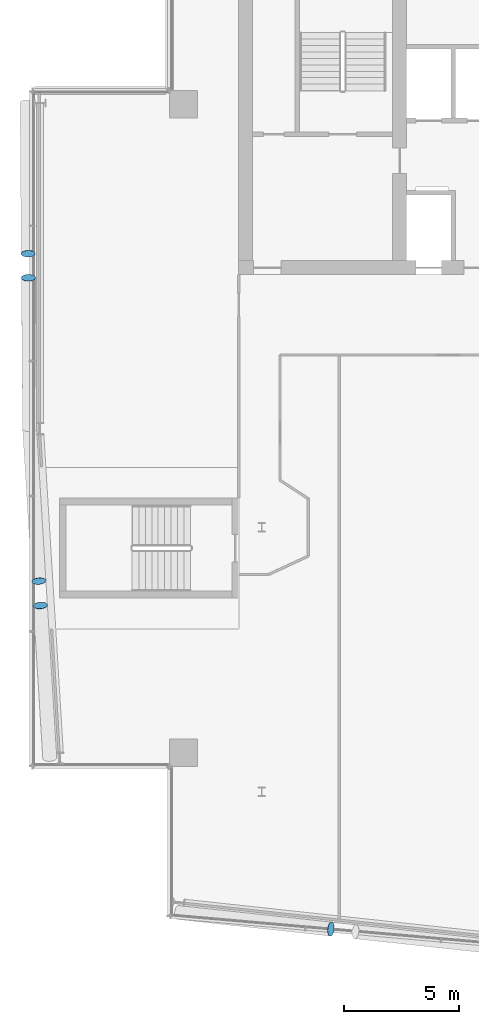
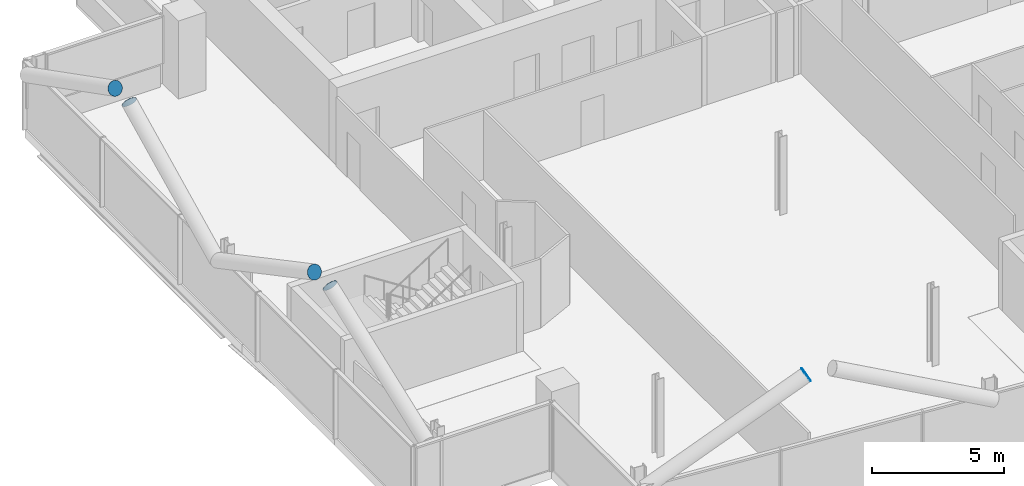
# One storey, part 20 of 25: 5 discrete accessories.
"""IFC4 building model written with IfcOpenShell, lengths in metres."""

import ifcopenshell
import ifcopenshell.guid

model = None  # the IFC model being written
_history = None  # IfcOwnerHistory: only IFC2X3 demands one
_inside = {}  # id of a spatial element -> (the spatial element, [elements in it])
_under = {}  # id of a project, library or spatial element -> (it, [spatial elements below it])
_declared = {}  # id of a project -> (the project, [libraries it declares])
_typed = {}  # id of a type object -> (the type object, [elements of that type])
_made_of = {}  # id of a material, layer set ... -> (it, [elements and type objects made of it])


def new_model(schema):
    """Start an empty IFC model of exactly this schema.

    Asked for "IFC4X3", IfcOpenShell would pick the latest addendum, in which some entities
    have other attributes; the version numbers below select the first issue.
    IFC2X3 requires an IfcOwnerHistory on every rooted entity: one is made here for all.
    """
    global model, _history
    if schema == "IFC4X3":
        model = ifcopenshell.file(schema_version=(4, 3, 0, 0))
    else:
        model = ifcopenshell.file(schema=schema)
    _inside.clear()
    _under.clear()
    _declared.clear()
    _typed.clear()
    _made_of.clear()
    _history = None
    if model.schema == "IFC2X3":
        org = make("IfcOrganization", Name="unknown")
        user = make(
            "IfcPersonAndOrganization",
            ThePerson=make("IfcPerson", FamilyName="unknown"),
            TheOrganization=org,
        )
        app = make(
            "IfcApplication",
            ApplicationDeveloper=org,
            Version="unknown",
            ApplicationFullName="unknown",
            ApplicationIdentifier="unknown",
        )
        _history = make(
            "IfcOwnerHistory",
            OwningUser=user,
            OwningApplication=app,
            ChangeAction="ADDED",
            CreationDate=0,
        )
    return model


def make(cls, **values):
    """One entity of the class cls with the attributes given. An attribute that is None is left unset."""
    return model.create_entity(
        cls, **{name: value for name, value in values.items() if value is not None}
    )


def rooted(cls, **values):
    """An entity with a GlobalId (a new one), such as an element, a storey or a relation."""
    return make(cls, GlobalId=ifcopenshell.guid.new(), OwnerHistory=_history, **values)


def si_unit(unit_type, name, prefix=None):
    """IfcSIUnit, for example si_unit("LENGTHUNIT", "METRE", prefix="MILLI")."""
    return make("IfcSIUnit", UnitType=unit_type, Prefix=prefix, Name=name)


def assignment(units):
    """IfcUnitAssignment: the units of a project."""
    return None if units is None else make("IfcUnitAssignment", Units=units)


def point(xyz):
    """IfcCartesianPoint."""
    return None if xyz is None else make("IfcCartesianPoint", Coordinates=xyz)


def direction(xyz):
    """IfcDirection."""
    return None if xyz is None else make("IfcDirection", DirectionRatios=xyz)


def frame(location, z_axis=None, x_axis=None):
    """IfcAxis2Placement3D, a coordinate frame: its origin and axes. An axis left out is left unset."""
    return make(
        "IfcAxis2Placement3D",
        Location=point(location),
        Axis=direction(z_axis),
        RefDirection=direction(x_axis),
    )


def frame_2d(location, x_axis=None):
    """IfcAxis2Placement2D, a coordinate frame in the plane: its origin and x axis."""
    return make(
        "IfcAxis2Placement2D", Location=point(location), RefDirection=direction(x_axis)
    )


def origin():
    """The frame at (0, 0, 0) with its axes left unset."""
    return frame((0.0, 0.0, 0.0))


def origin_2d():
    """The frame at (0, 0) in the plane with its x axis left unset."""
    return frame_2d((0.0, 0.0))


def place(relative_to, where):
    """IfcLocalPlacement: puts the frame where relative to a parent placement (None: the world)."""
    return make(
        "IfcLocalPlacement", PlacementRelTo=relative_to, RelativePlacement=where
    )


def context(
    kind, dimensions, precision=None, world=None, true_north=None, identifier=None
):
    """IfcGeometricRepresentationContext, for example the 3D "Model" context."""
    return make(
        "IfcGeometricRepresentationContext",
        ContextIdentifier=identifier,
        ContextType=kind,
        CoordinateSpaceDimension=dimensions,
        Precision=precision,
        WorldCoordinateSystem=world,
        TrueNorth=true_north,
    )


def subcontext(parent, identifier, kind, view, scale=None):
    """IfcGeometricRepresentationSubContext, for example "Body" below "Model"."""
    return make(
        "IfcGeometricRepresentationSubContext",
        ContextIdentifier=identifier,
        ContextType=kind,
        ParentContext=parent,
        TargetScale=scale,
        TargetView=view,
    )


def project(units=None, contexts=None):
    """IfcProject with its units and contexts."""
    return rooted(
        "IfcProject",
        Name="project",
        RepresentationContexts=contexts,
        UnitsInContext=assignment(units),
    )


def spatial(cls, under=None, at=None, **own):
    """A site, building, storey or space (cls), placed at a placement, below another one or the project."""
    s = rooted(cls, ObjectPlacement=at, **own)
    if under is not None:
        _under.setdefault(under.id(), (under, []))[1].append(s)
    return s


def profile(cls, at=None, kind="AREA", **sizes):
    """A parametric profile (cls). Its sizes go by their IFC names, for example OverallWidth=200.0."""
    return make(cls, ProfileType=kind, Position=at, **sizes)


def circle(**sizes):
    """IfcCircleProfileDef."""
    return profile("IfcCircleProfileDef", **sizes)


def extrude(swept, where, along, depth):
    """IfcExtrudedAreaSolid: the profile swept, set in the frame where, extruded along a direction by depth."""
    return make(
        "IfcExtrudedAreaSolid",
        SweptArea=swept,
        Position=where,
        ExtrudedDirection=direction(along),
        Depth=depth,
    )


def shape(context_of_items, identifier, shape_type, items):
    """IfcShapeRepresentation: the items that make up one representation, for example the "Body"."""
    return make(
        "IfcShapeRepresentation",
        ContextOfItems=context_of_items,
        RepresentationIdentifier=identifier,
        RepresentationType=shape_type,
        Items=items,
    )


def material(Name=None, Category=None):
    """IfcMaterial."""
    return make("IfcMaterial", Name=Name, Category=Category)


def material_profile(
    of_material, cross_section, Name=None, Category=None, Priority=None
):
    """IfcMaterialProfile: a cross section and its material."""
    return make(
        "IfcMaterialProfile",
        Name=Name,
        Material=of_material,
        Profile=cross_section,
        Priority=Priority,
        Category=Category,
    )


def profile_set(profiles, Name=None, composite=None):
    """IfcMaterialProfileSet."""
    return make(
        "IfcMaterialProfileSet",
        Name=Name,
        MaterialProfiles=profiles,
        CompositeProfile=composite,
    )


def made_of(thing, what):
    """Note that an element or type object is made of a material, layer set ...; save() writes the relation."""
    if what is not None:
        _made_of.setdefault(what.id(), (what, []))[1].append(thing)
    return thing


def type_object(cls, material=None, **own):
    """A type object (cls), such as IfcWallType, which elements share."""
    return made_of(rooted(cls, **own), material)


def element(
    cls,
    number,
    at=None,
    inside=None,
    cuts=None,
    type_object=None,
    material=None,
    context=None,
    identifier="Body",
    shape_type=None,
    held_by="IfcProductDefinitionShape",
    body=None,
    shapes=None,
    **own,
):
    """One element of the class cls, such as IfcWall. Its Tag is "e" and its number.

    at: its placement. inside: the storey or other place that contains it. cuts: it is an
    opening in that element (IfcRelVoidsElement). A single representation is given by context,
    identifier, shape_type and body (its items); several are given by shapes. held_by: the class
    of the entity that holds the representations. save() writes the other relations.
    """
    e = rooted(cls, Tag="e%d" % number, ObjectPlacement=at, **own)
    if body is not None:
        shapes = [shape(context, identifier, shape_type, body)]
    if shapes is not None:
        e.Representation = make(held_by, Representations=shapes)
    if inside is not None:
        _inside.setdefault(inside.id(), (inside, []))[1].append(e)
    if cuts is not None:
        rooted(
            "IfcRelVoidsElement", RelatingBuildingElement=cuts, RelatedOpeningElement=e
        )
    if type_object is not None:
        _typed.setdefault(type_object.id(), (type_object, []))[1].append(e)
    return made_of(e, material)


def aggregate(whole, parts):
    """IfcRelAggregates: a whole, such as a stair, and the parts it consists of."""
    return rooted("IfcRelAggregates", RelatingObject=whole, RelatedObjects=parts)


def save(model, path):
    """Write the relations noted so far, then the file.

    IfcRelAggregates (storeys below a building ...), IfcRelContainedInSpatialStructure (elements
    in a storey), IfcRelDefinesByType, IfcRelAssociatesMaterial and IfcRelDeclares: one each for
    every whole, place, type object, material and project.
    """
    for whole, parts in _under.values():
        aggregate(whole, parts)
    for where, things in _inside.values():
        rooted(
            "IfcRelContainedInSpatialStructure",
            RelatedElements=things,
            RelatingStructure=where,
        )
    for kind, things in _typed.values():
        rooted("IfcRelDefinesByType", RelatedObjects=things, RelatingType=kind)
    for what, things in _made_of.values():
        rooted("IfcRelAssociatesMaterial", RelatedObjects=things, RelatingMaterial=what)
    for by, libraries in _declared.values():
        rooted("IfcRelDeclares", RelatingContext=by, RelatedDefinitions=libraries)
    model.write(path)


model = new_model("IFC4")

# Units and contexts
model_context = context("Model", 3, precision=1e-05, world=origin(), true_north=direction((0.0, 1.0)))
body_context = subcontext(model_context, "Body", "Model", "MODEL_VIEW")
ifc_project = project(units=[si_unit("LENGTHUNIT", "METRE"), si_unit("AREAUNIT", "SQUARE_METRE"), si_unit("VOLUMEUNIT", "CUBIC_METRE"), si_unit("PLANEANGLEUNIT", "RADIAN"), si_unit("MASSUNIT", "GRAM", prefix="KILO")], contexts=[model_context])

# Site, building, storey
site_placement = place(None, origin())
site = spatial("IfcSite", under=ifc_project, at=site_placement, CompositionType="ELEMENT")
building_placement = place(site_placement, origin())
building = spatial("IfcBuilding", under=site, at=building_placement, Name="Wharfspan Tower", CompositionType="ELEMENT")
storey_placement = place(building_placement, frame((0.0, 0.0, 232.300049)))
storey = spatial("IfcBuildingStorey", under=building, at=storey_placement, Name="L58", CompositionType="ELEMENT", Elevation=232.300049)

# Discrete accessories
ifc_material = material(Name="Steel S460NH", Category="steel")
ifc_material_profile = material_profile(ifc_material, circle(Radius=0.304932, at=origin_2d()))
ifc_profile_set = profile_set([ifc_material_profile], Name="Steel S460NH")
discrete_accessory_type = type_object("IfcDiscreteAccessoryType", Name="End plate CHS 610x25", PredefinedType="BRACKET", material=ifc_profile_set)
for number, where, z_axis, x_axis, name in (
    (1, (27.005371, 5.52832, 6.22876), (0.885482, -0.095728, 0.454707), (0.107482, 0.994211, 1e-06), "End plate CHS 610x25"),
    (2, (13.844727, 34.910645, 6.22998), (0.024035, -0.88931, 0.456673), (0.999631, 0.027015, -3e-06), "End plate CHS 610x25"),
):
    element("IfcDiscreteAccessory", number, at=place(storey_placement, frame(where, z_axis=z_axis, x_axis=x_axis)), inside=storey, type_object=discrete_accessory_type, Name=name, PredefinedType="BRACKET", context=body_context, shape_type="SweptSolid", body=[
        extrude(circle(Radius=0.304932, at=origin_2d()), origin(), (0.0, 0.0, 1.0), 0.010254),
    ])
discrete_accessory_placement = place(storey_placement, frame((13.853271, 33.849121, 6.22998), z_axis=(0.0, 0.884385, 0.466759), x_axis=(-1.0, 0.0, 0.0)))
element("IfcDiscreteAccessory", 3, at=discrete_accessory_placement, inside=storey, type_object=discrete_accessory_type, Name="End plate CHS 610x25", PredefinedType="BRACKET", context=body_context, shape_type="SweptSolid", body=[
    extrude(circle(Radius=0.304932, at=origin_2d()), origin(), (0.0, 0.0, 1.0), 0.01001),
])
for number, where, z_axis, x_axis, name in (
    (4, (14.310791, 20.670654, 6.229248), (0.07194, -0.887262, 0.455621), (0.996733, 0.080816, 0.0), "End plate CHS 610x25"),
    (5, (14.376953, 19.592773, 6.229248), (-0.07194, 0.887262, 0.455621), (-0.996733, -0.080816, 0.0), "End plate CHS 610x25"),
):
    element("IfcDiscreteAccessory", number, at=place(storey_placement, frame(where, z_axis=z_axis, x_axis=x_axis)), inside=storey, type_object=discrete_accessory_type, Name=name, PredefinedType="BRACKET", context=body_context, shape_type="SweptSolid", body=[
        extrude(circle(Radius=0.304932, at=origin_2d()), origin(), (0.0, 0.0, 1.0), 0.010254),
    ])

save(model, "model.ifc")
